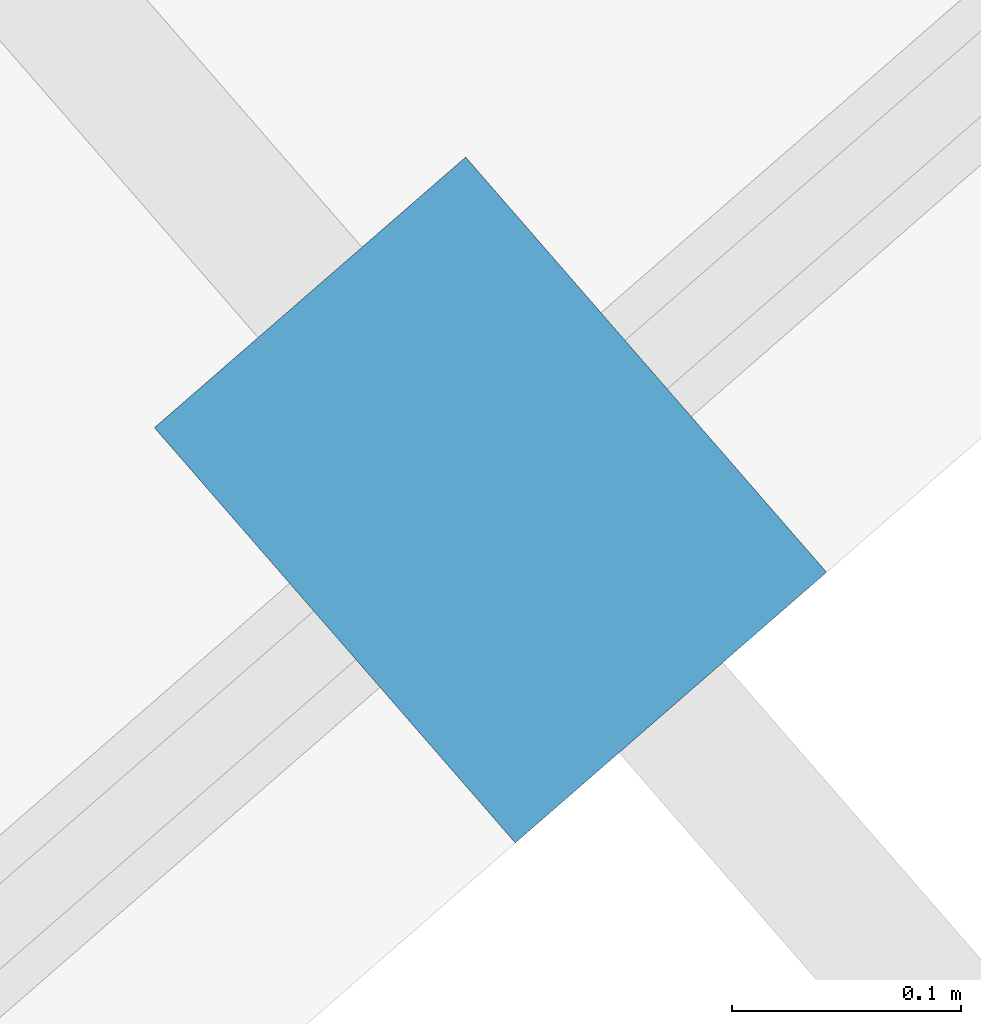
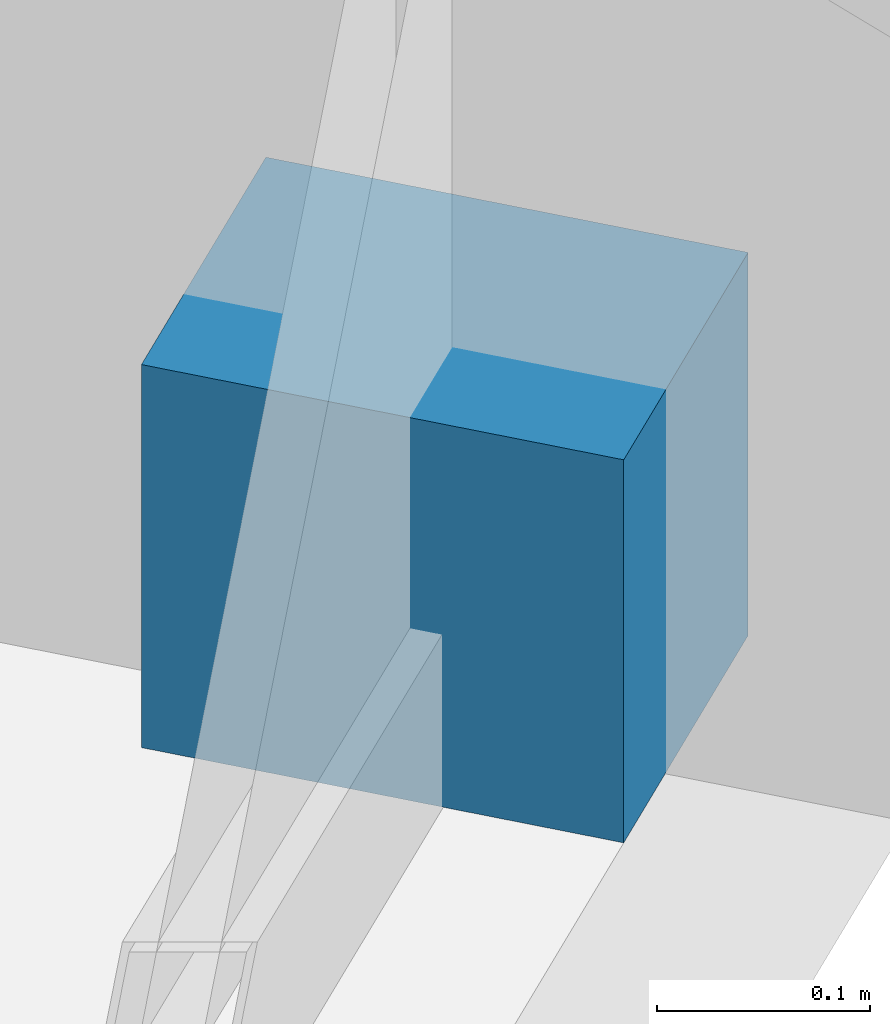
# One storey, part 22 of 25: 1 discrete accessory.
"""IFC4 building model written with IfcOpenShell, lengths in metres."""

import ifcopenshell
import ifcopenshell.guid

model = None  # the IFC model being written
_history = None  # IfcOwnerHistory: only IFC2X3 demands one
_inside = {}  # id of a spatial element -> (the spatial element, [elements in it])
_under = {}  # id of a project, library or spatial element -> (it, [spatial elements below it])
_declared = {}  # id of a project -> (the project, [libraries it declares])
_typed = {}  # id of a type object -> (the type object, [elements of that type])
_made_of = {}  # id of a material, layer set ... -> (it, [elements and type objects made of it])


def new_model(schema):
    """Start an empty IFC model of exactly this schema.

    Asked for "IFC4X3", IfcOpenShell would pick the latest addendum, in which some entities
    have other attributes; the version numbers below select the first issue.
    IFC2X3 requires an IfcOwnerHistory on every rooted entity: one is made here for all.
    """
    global model, _history
    if schema == "IFC4X3":
        model = ifcopenshell.file(schema_version=(4, 3, 0, 0))
    else:
        model = ifcopenshell.file(schema=schema)
    _inside.clear()
    _under.clear()
    _declared.clear()
    _typed.clear()
    _made_of.clear()
    _history = None
    if model.schema == "IFC2X3":
        org = make("IfcOrganization", Name="unknown")
        user = make(
            "IfcPersonAndOrganization",
            ThePerson=make("IfcPerson", FamilyName="unknown"),
            TheOrganization=org,
        )
        app = make(
            "IfcApplication",
            ApplicationDeveloper=org,
            Version="unknown",
            ApplicationFullName="unknown",
            ApplicationIdentifier="unknown",
        )
        _history = make(
            "IfcOwnerHistory",
            OwningUser=user,
            OwningApplication=app,
            ChangeAction="ADDED",
            CreationDate=0,
        )
    return model


def make(cls, **values):
    """One entity of the class cls with the attributes given. An attribute that is None is left unset."""
    return model.create_entity(
        cls, **{name: value for name, value in values.items() if value is not None}
    )


def rooted(cls, **values):
    """An entity with a GlobalId (a new one), such as an element, a storey or a relation."""
    return make(cls, GlobalId=ifcopenshell.guid.new(), OwnerHistory=_history, **values)


def si_unit(unit_type, name, prefix=None):
    """IfcSIUnit, for example si_unit("LENGTHUNIT", "METRE", prefix="MILLI")."""
    return make("IfcSIUnit", UnitType=unit_type, Prefix=prefix, Name=name)


def assignment(units):
    """IfcUnitAssignment: the units of a project."""
    return None if units is None else make("IfcUnitAssignment", Units=units)


def point(xyz):
    """IfcCartesianPoint."""
    return None if xyz is None else make("IfcCartesianPoint", Coordinates=xyz)


def direction(xyz):
    """IfcDirection."""
    return None if xyz is None else make("IfcDirection", DirectionRatios=xyz)


def frame(location, z_axis=None, x_axis=None):
    """IfcAxis2Placement3D, a coordinate frame: its origin and axes. An axis left out is left unset."""
    return make(
        "IfcAxis2Placement3D",
        Location=point(location),
        Axis=direction(z_axis),
        RefDirection=direction(x_axis),
    )


def frame_2d(location, x_axis=None):
    """IfcAxis2Placement2D, a coordinate frame in the plane: its origin and x axis."""
    return make(
        "IfcAxis2Placement2D", Location=point(location), RefDirection=direction(x_axis)
    )


def origin():
    """The frame at (0, 0, 0) with its axes left unset."""
    return frame((0.0, 0.0, 0.0))


def origin_2d():
    """The frame at (0, 0) in the plane with its x axis left unset."""
    return frame_2d((0.0, 0.0))


def place(relative_to, where):
    """IfcLocalPlacement: puts the frame where relative to a parent placement (None: the world)."""
    return make(
        "IfcLocalPlacement", PlacementRelTo=relative_to, RelativePlacement=where
    )


def context(
    kind, dimensions, precision=None, world=None, true_north=None, identifier=None
):
    """IfcGeometricRepresentationContext, for example the 3D "Model" context."""
    return make(
        "IfcGeometricRepresentationContext",
        ContextIdentifier=identifier,
        ContextType=kind,
        CoordinateSpaceDimension=dimensions,
        Precision=precision,
        WorldCoordinateSystem=world,
        TrueNorth=true_north,
    )


def subcontext(parent, identifier, kind, view, scale=None):
    """IfcGeometricRepresentationSubContext, for example "Body" below "Model"."""
    return make(
        "IfcGeometricRepresentationSubContext",
        ContextIdentifier=identifier,
        ContextType=kind,
        ParentContext=parent,
        TargetScale=scale,
        TargetView=view,
    )


def project(units=None, contexts=None):
    """IfcProject with its units and contexts."""
    return rooted(
        "IfcProject",
        Name="project",
        RepresentationContexts=contexts,
        UnitsInContext=assignment(units),
    )


def spatial(cls, under=None, at=None, **own):
    """A site, building, storey or space (cls), placed at a placement, below another one or the project."""
    s = rooted(cls, ObjectPlacement=at, **own)
    if under is not None:
        _under.setdefault(under.id(), (under, []))[1].append(s)
    return s


def profile(cls, at=None, kind="AREA", **sizes):
    """A parametric profile (cls). Its sizes go by their IFC names, for example OverallWidth=200.0."""
    return make(cls, ProfileType=kind, Position=at, **sizes)


def rectangle(**sizes):
    """IfcRectangleProfileDef."""
    return profile("IfcRectangleProfileDef", **sizes)


def extrude(swept, where, along, depth):
    """IfcExtrudedAreaSolid: the profile swept, set in the frame where, extruded along a direction by depth."""
    return make(
        "IfcExtrudedAreaSolid",
        SweptArea=swept,
        Position=where,
        ExtrudedDirection=direction(along),
        Depth=depth,
    )


def shape(context_of_items, identifier, shape_type, items):
    """IfcShapeRepresentation: the items that make up one representation, for example the "Body"."""
    return make(
        "IfcShapeRepresentation",
        ContextOfItems=context_of_items,
        RepresentationIdentifier=identifier,
        RepresentationType=shape_type,
        Items=items,
    )


def material(Name=None, Category=None):
    """IfcMaterial."""
    return make("IfcMaterial", Name=Name, Category=Category)


def made_of(thing, what):
    """Note that an element or type object is made of a material, layer set ...; save() writes the relation."""
    if what is not None:
        _made_of.setdefault(what.id(), (what, []))[1].append(thing)
    return thing


def type_object(cls, material=None, **own):
    """A type object (cls), such as IfcWallType, which elements share."""
    return made_of(rooted(cls, **own), material)


def element(
    cls,
    number,
    at=None,
    inside=None,
    cuts=None,
    type_object=None,
    material=None,
    context=None,
    identifier="Body",
    shape_type=None,
    held_by="IfcProductDefinitionShape",
    body=None,
    shapes=None,
    **own,
):
    """One element of the class cls, such as IfcWall. Its Tag is "e" and its number.

    at: its placement. inside: the storey or other place that contains it. cuts: it is an
    opening in that element (IfcRelVoidsElement). A single representation is given by context,
    identifier, shape_type and body (its items); several are given by shapes. held_by: the class
    of the entity that holds the representations. save() writes the other relations.
    """
    e = rooted(cls, Tag="e%d" % number, ObjectPlacement=at, **own)
    if body is not None:
        shapes = [shape(context, identifier, shape_type, body)]
    if shapes is not None:
        e.Representation = make(held_by, Representations=shapes)
    if inside is not None:
        _inside.setdefault(inside.id(), (inside, []))[1].append(e)
    if cuts is not None:
        rooted(
            "IfcRelVoidsElement", RelatingBuildingElement=cuts, RelatedOpeningElement=e
        )
    if type_object is not None:
        _typed.setdefault(type_object.id(), (type_object, []))[1].append(e)
    return made_of(e, material)


def aggregate(whole, parts):
    """IfcRelAggregates: a whole, such as a stair, and the parts it consists of."""
    return rooted("IfcRelAggregates", RelatingObject=whole, RelatedObjects=parts)


def save(model, path):
    """Write the relations noted so far, then the file.

    IfcRelAggregates (storeys below a building ...), IfcRelContainedInSpatialStructure (elements
    in a storey), IfcRelDefinesByType, IfcRelAssociatesMaterial and IfcRelDeclares: one each for
    every whole, place, type object, material and project.
    """
    for whole, parts in _under.values():
        aggregate(whole, parts)
    for where, things in _inside.values():
        rooted(
            "IfcRelContainedInSpatialStructure",
            RelatedElements=things,
            RelatingStructure=where,
        )
    for kind, things in _typed.values():
        rooted("IfcRelDefinesByType", RelatedObjects=things, RelatingType=kind)
    for what, things in _made_of.values():
        rooted("IfcRelAssociatesMaterial", RelatedObjects=things, RelatingMaterial=what)
    for by, libraries in _declared.values():
        rooted("IfcRelDeclares", RelatingContext=by, RelatedDefinitions=libraries)
    model.write(path)


model = new_model("IFC4")

# Units and contexts
model_context = context("Model", 3, precision=1e-05, world=origin(), true_north=direction((0.0, 1.0)))
body_context = subcontext(model_context, "Body", "Model", "MODEL_VIEW")
ifc_project = project(units=[si_unit("LENGTHUNIT", "METRE"), si_unit("AREAUNIT", "SQUARE_METRE"), si_unit("VOLUMEUNIT", "CUBIC_METRE"), si_unit("PLANEANGLEUNIT", "RADIAN"), si_unit("MASSUNIT", "GRAM", prefix="KILO")], contexts=[model_context])

# Site, building, storey
site_placement = place(None, origin())
site = spatial("IfcSite", under=ifc_project, at=site_placement, CompositionType="ELEMENT")
building_placement = place(site_placement, origin())
building = spatial("IfcBuilding", under=site, at=building_placement, Name="Kravanh Interchange Tower", CompositionType="ELEMENT")
storey_placement = place(building_placement, frame((0.0, 0.0, 33.5)))
storey = spatial("IfcBuildingStorey", under=building, at=storey_placement, Name="L07", CompositionType="ELEMENT", Elevation=33.5)

# Discrete accessory
ifc_material = material(Name="Stainless Steel 316", Category="steel")
discrete_accessory_type = type_object("IfcDiscreteAccessoryType", Name="Solar Fin Curtain-Wall Mounting Bracket Stainless 316", PredefinedType="BRACKET", material=ifc_material)
discrete_accessory_placement = place(storey_placement, frame((62.16943359375, 2.328369140625, 0.0), z_axis=(0.0, 0.0, 1.0), x_axis=(0.656067828783, -0.754701930589, 0.0)))
element("IfcDiscreteAccessory", 1, at=discrete_accessory_placement, inside=storey, type_object=discrete_accessory_type, Name="L07 Solar Fin Mounting Bracket 2", PredefinedType="BRACKET", context=body_context, shape_type="SweptSolid", body=[
    extrude(rectangle(XDim=0.239990234375, YDim=0.179931640625, at=origin_2d()), origin(), (0.0, 0.0, 1.0), 0.219970703125),
])

save(model, "model.ifc")
